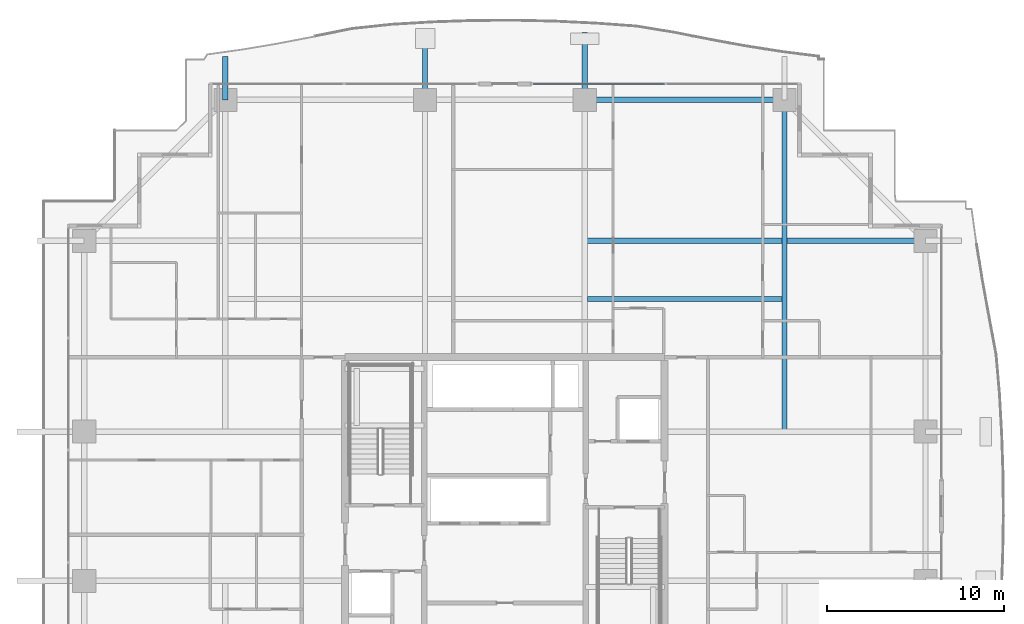
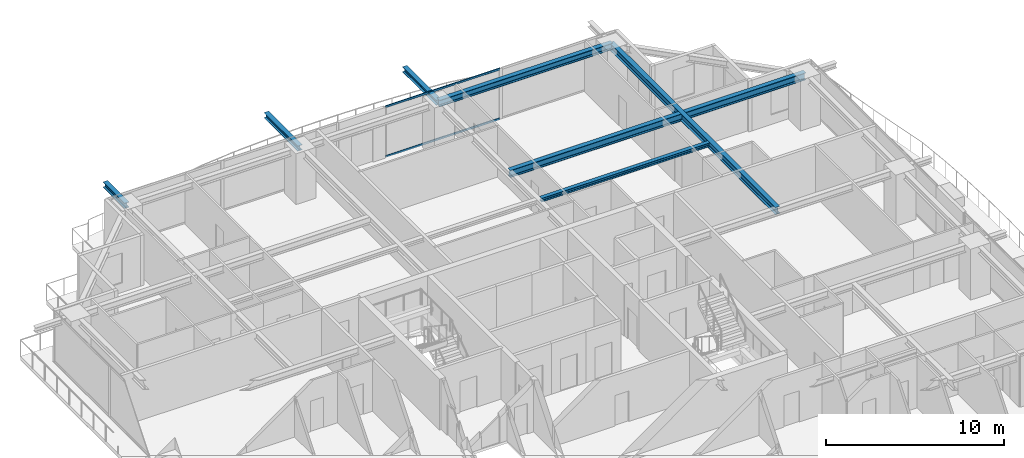
# One storey, part 19 of 33: 7 beams, 2 members, 1 element without a shape of its own.
"""IFC4 building model written with IfcOpenShell, lengths in metres."""

from ifc_helpers import new_model, si_unit, direction, frame, origin, origin_2d, place, context, subcontext, project, spatial, hollow_rectangle, i_section, extrude, source, transform, mapped, material, layer, layer_set, material_profile, profile_set, type_object, element, aggregate, save


model = new_model("IFC4")

# Units and contexts
model_context = context("Model", 3, precision=1e-05, world=origin(), true_north=direction((0.0, 1.0)))
body_context = subcontext(model_context, "Body", "Model", "MODEL_VIEW")
ifc_project = project(units=[si_unit("LENGTHUNIT", "METRE"), si_unit("AREAUNIT", "SQUARE_METRE"), si_unit("VOLUMEUNIT", "CUBIC_METRE"), si_unit("PLANEANGLEUNIT", "RADIAN"), si_unit("MASSUNIT", "GRAM", prefix="KILO")], contexts=[model_context])

# Site, building, storey
site_placement = place(None, origin())
site = spatial("IfcSite", under=ifc_project, at=site_placement, CompositionType="ELEMENT")
building_placement = place(site_placement, origin())
building = spatial("IfcBuilding", under=site, at=building_placement, Name="Serunith Strait Residences", CompositionType="ELEMENT")
storey_placement = place(building_placement, frame((0.0, 0.0, 165.14990234375)))
storey = spatial("IfcBuildingStorey", under=building, at=storey_placement, Name="L41", CompositionType="ELEMENT", Elevation=165.14990234375)

# Beams
ifc_material_1 = material(Name="Steel S355J2", Category="steel")
ifc_material_profile_1 = material_profile(ifc_material_1, i_section(OverallWidth=0.300048828125, OverallDepth=0.5, WebThickness=0.014404296875, FlangeThickness=0.028076171875, FilletRadius=0.027099609375, at=origin_2d()), Name="HEB 500")
ifc_profile_set_1 = profile_set([ifc_material_profile_1], Name="Steel S355J2")
beam_type_1 = type_object("IfcBeamType", Name="BM-HEB500", PredefinedType="BEAM", material=ifc_profile_set_1)
shared_shape_1 = source(origin(), body_context, "Body", "SweptSolid", [
    extrude(i_section(OverallWidth=0.300048828125, OverallDepth=0.5, WebThickness=0.014404296875, FlangeThickness=0.028076171875, FilletRadius=0.027099609375, at=origin_2d()), origin(), (0.0, 0.0, 1.0), 18.7001953125),
])
beam_1_placement = place(storey_placement, frame((48.14990234375, 29.39990234375, 3.237060546875), z_axis=(0.0, 1.0, 0.0), x_axis=(-1.0, 0.0, 0.0)))
element("IfcBeam", 1, at=beam_1_placement, inside=storey, type_object=beam_type_1, Name="L41 Orthogonal Corner Girder TC-N4", PredefinedType="BEAM", context=body_context, shape_type="MappedRepresentation", body=[
    mapped(shared_shape_1, transform((0.0, 0.0, 0.0), scale=1.0)),
])
shared_shape_2 = source(origin(), body_context, "Body", "SweptSolid", [
    extrude(i_section(OverallWidth=0.300048828125, OverallDepth=0.5, WebThickness=0.014404296875, FlangeThickness=0.028076171875, FilletRadius=0.027099609375, at=origin_2d()), origin(), (0.0, 0.0, 1.0), 19.2001953125),
])
beam_2_placement = place(storey_placement, frame((36.89990234375, 40.14990234375, 3.237060546875), z_axis=(1.0, 0.0, 0.0), x_axis=(0.0, 1.0, 0.0)))
element("IfcBeam", 2, at=beam_2_placement, inside=storey, type_object=beam_type_1, Name="L41 Orthogonal Corner Girder TC-E4", PredefinedType="BEAM", context=body_context, shape_type="MappedRepresentation", body=[
    mapped(shared_shape_2, transform((0.0, 0.0, 0.0), scale=1.0)),
])
ifc_material_profile_2 = material_profile(ifc_material_1, i_section(OverallWidth=0.300048828125, OverallDepth=0.449951171875, WebThickness=0.013916015625, FlangeThickness=0.02587890625, FilletRadius=0.027099609375, at=origin_2d()), Name="HEB 450")
ifc_profile_set_2 = profile_set([ifc_material_profile_2], Name="Steel S355J2")
beam_type_2 = type_object("IfcBeamType", Name="BM-HEB450", PredefinedType="BEAM", material=ifc_profile_set_2)
shared_shape_3 = source(origin(), body_context, "Body", "SweptSolid", [
    extrude(i_section(OverallWidth=0.300048828125, OverallDepth=0.449951171875, WebThickness=0.013916015625, FlangeThickness=0.02587890625, FilletRadius=0.027099609375, at=origin_2d()), origin(), (0.0, 0.0, 1.0), 11.25),
])
beam_3_placement = place(storey_placement, frame((48.14990234375, 48.10009765625, 3.26220703125), z_axis=(-1.0, 0.0, 0.0), x_axis=(0.0, -1.0, 0.0)))
element("IfcBeam", 3, at=beam_3_placement, inside=storey, type_object=beam_type_2, Name="L41 Perimeter Ring Beam 09", PredefinedType="BEAM", context=body_context, shape_type="MappedRepresentation", body=[
    mapped(shared_shape_3, transform((0.0, 0.0, 0.0), scale=1.0)),
])
ifc_material_profile_3 = material_profile(ifc_material_1, i_section(OverallWidth=0.300048828125, OverallDepth=0.360107421875, WebThickness=0.012451171875, FlangeThickness=0.0224609375, FilletRadius=0.027099609375, at=origin_2d()), Name="HEB 360")
ifc_profile_set_3 = profile_set([ifc_material_profile_3], Name="Steel S355J2")
beam_type_3 = type_object("IfcBeamType", Name="BM-HEB360", PredefinedType="BEAM", material=ifc_profile_set_3)
shared_shape_4 = source(origin(), body_context, "Body", "SweptSolid", [
    extrude(i_section(OverallWidth=0.300048828125, OverallDepth=0.360107421875, WebThickness=0.012451171875, FlangeThickness=0.0224609375, FilletRadius=0.027099609375, at=origin_2d()), origin(), (0.0, 0.0, 1.0), 3.7998046875),
])
for number, where, z_axis, x_axis, name in (
    (4, (27.89990234375, 48.10009765625, 3.277099609375), (0.0, 1.0, 0.0), (-1.0, 0.0, 0.0), "L42 Cantilevered Balcony Rib TC-N2"),
    (5, (36.89990234375, 48.10009765625, 3.277099609375), (0.0, 1.0, 0.0), (-1.0, 0.0, 0.0), "L42 Cantilevered Balcony Rib TC-N3"),
):
    element("IfcBeam", number, at=place(storey_placement, frame(where, z_axis=z_axis, x_axis=x_axis)), inside=storey, type_object=beam_type_3, Name=name, PredefinedType="BEAM", context=body_context, shape_type="MappedRepresentation", body=[
        mapped(shared_shape_4, transform((0.0, 0.0, 0.0), scale=1.0)),
    ])
ifc_material_profile_4 = material_profile(ifc_material_1, i_section(OverallWidth=0.260009765625, OverallDepth=0.260009765625, WebThickness=0.010009765625, FlangeThickness=0.017578125, FilletRadius=0.02392578125, at=origin_2d()), Name="HEB 260")
ifc_profile_set_4 = profile_set([ifc_material_profile_4], Name="Steel S355J2")
beam_type_4 = type_object("IfcBeamType", Name="BM-HEB260", PredefinedType="JOIST", material=ifc_profile_set_4)
shared_shape_5 = source(origin(), body_context, "Body", "SweptSolid", [
    extrude(i_section(OverallWidth=0.260009765625, OverallDepth=0.260009765625, WebThickness=0.010009765625, FlangeThickness=0.017578125, FilletRadius=0.02392578125, at=origin_2d()), origin(), (0.0, 0.0, 1.0), 10.949951171875),
])
beam_4_placement = place(storey_placement, frame((37.050048828125, 36.875, 3.357177734375), z_axis=(1.0, 0.0, 0.0), x_axis=(0.0, 1.0, 0.0)))
element("IfcBeam", 6, at=beam_4_placement, inside=storey, type_object=beam_type_4, Name="L41 Composite Floor Joist 06", PredefinedType="JOIST", context=body_context, shape_type="MappedRepresentation", body=[
    mapped(shared_shape_5, transform((0.0, 0.0, 0.0), scale=1.0)),
])
shared_shape_6 = source(origin(), body_context, "Body", "SweptSolid", [
    extrude(i_section(OverallWidth=0.300048828125, OverallDepth=0.360107421875, WebThickness=0.012451171875, FlangeThickness=0.0224609375, FilletRadius=0.027099609375, at=origin_2d()), origin(), (0.0, 0.0, 1.0), 2.4375),
])
beam_5_placement = place(storey_placement, frame((16.64990234375, 48.10009765625, 3.277099609375), z_axis=(0.0, 1.0, 0.0), x_axis=(-1.0, 0.0, 0.0)))
element("IfcBeam", 7, at=beam_5_placement, inside=storey, type_object=beam_type_3, Name="L42 Cantilevered Balcony Rib TC-N1", PredefinedType="BEAM", context=body_context, shape_type="MappedRepresentation", body=[
    mapped(shared_shape_6, transform((0.0, 0.0, 0.0), scale=1.0)),
])

# Curtain wall, members
ifc_material_2 = material(Name="Pale-Champagne Anodised Aluminium", Category="aluminium")
ifc_layer = layer(ifc_material_2, 0.199951171875, Name="Pale-Champagne Anodised Aluminium")
ifc_layer_set = layer_set([ifc_layer], Name="Pale-Champagne Anodised Aluminium")
curtain_wall_type = type_object("IfcCurtainWallType", Name="CW-SYS2", PredefinedType="NOTDEFINED", material=ifc_layer_set)
curtain_wall_placement = place(storey_placement, origin())
curtain_wall = element("IfcCurtainWall", 8, at=curtain_wall_placement, inside=storey, type_object=curtain_wall_type, Name="L41 N Unitised Fritted Curtain Wall", PredefinedType="NOTDEFINED")
ifc_material_profile_5 = material_profile(ifc_material_2, hollow_rectangle(XDim=0.06005859375, YDim=0.139892578125, WallThickness=0.00341796875, InnerFilletRadius=0.00537109375, OuterFilletRadius=0.0087890625, at=origin_2d()), Name="ALU 140x60x3.5")
ifc_profile_set_5 = profile_set([ifc_material_profile_5], Name="Pale-Champagne Anodised Aluminium")
member_type = type_object("IfcMemberType", Name="CW-SYS2-TRAN", PredefinedType="USERDEFINED", material=ifc_profile_set_5)
shared_shape_7 = source(origin(), body_context, "Body", "SweptSolid", [
    extrude(hollow_rectangle(XDim=0.06005859375, YDim=0.139892578125, WallThickness=0.00341796875, InnerFilletRadius=0.00537109375, OuterFilletRadius=0.0087890625, at=origin_2d()), origin(), (0.0, 0.0, 1.0), 7.445068359375),
])
member_1_placement = place(storey_placement, frame((41.4150390625, 49.0, 0.030029296875), z_axis=(-1.0, 0.0, 0.0), x_axis=(0.0, -1.0, 0.0)))
member_1 = element("IfcMember", 9, at=member_1_placement, type_object=member_type, Name="CW-2 transom 2.1", ObjectType="TRANSOM", PredefinedType="USERDEFINED", context=body_context, shape_type="MappedRepresentation", body=[
    mapped(shared_shape_7, transform((0.0, 0.0, 0.0), scale=1.0)),
])
member_2_placement = place(storey_placement, frame((41.4150390625, 49.0, 3.445068359375), z_axis=(-1.0, 0.0, 0.0), x_axis=(0.0, -1.0, 0.0)))
member_2 = element("IfcMember", 10, at=member_2_placement, type_object=member_type, Name="CW-2 transom 2.2", ObjectType="TRANSOM", PredefinedType="USERDEFINED", context=body_context, shape_type="MappedRepresentation", body=[
    mapped(shared_shape_7, transform((0.0, 0.0, 0.0), scale=1.0)),
])
aggregate(curtain_wall, [member_1, member_2])

save(model, "model.ifc")
